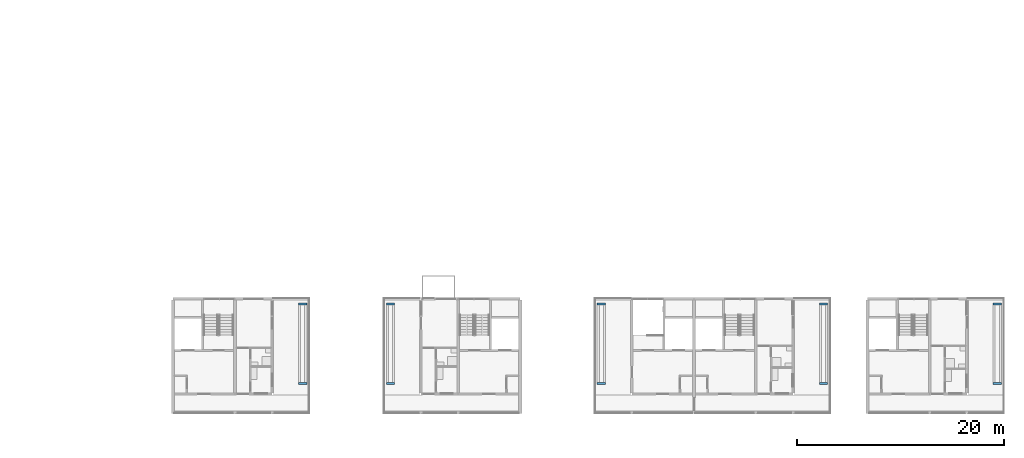
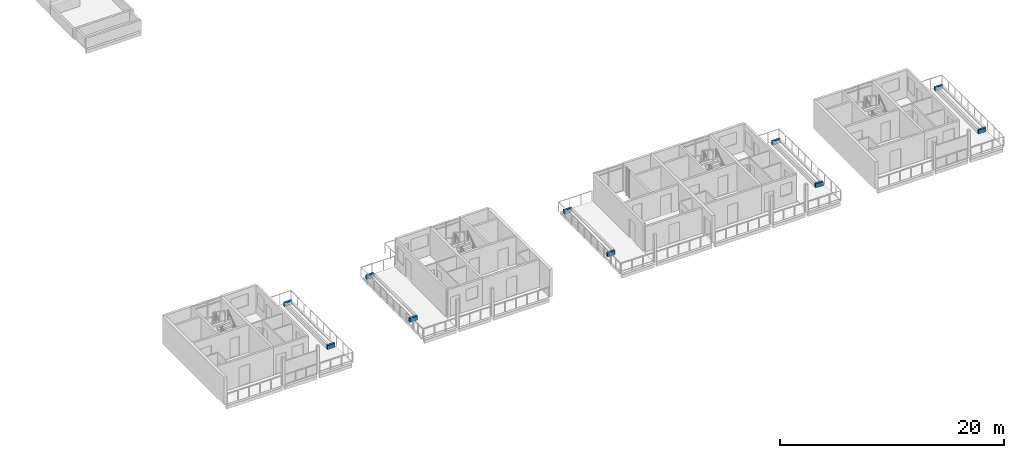
# One storey, part 28 of 41: 10 walls.
"""IFC4 building model written with IfcOpenShell, lengths in metres."""

from ifc_helpers import new_model, si_unit, direction, frame, frame_2d, origin, place, context, subcontext, project, spatial, rectangle, extrude, material, layer, layer_set, type_object, element, save


model = new_model("IFC4")

# Units and contexts
model_context = context("Model", 3, precision=1e-05, world=origin(), true_north=direction((0.0, 1.0)))
body_context = subcontext(model_context, "Body", "Model", "MODEL_VIEW")
ifc_project = project(units=[si_unit("LENGTHUNIT", "METRE"), si_unit("AREAUNIT", "SQUARE_METRE"), si_unit("VOLUMEUNIT", "CUBIC_METRE"), si_unit("PLANEANGLEUNIT", "RADIAN"), si_unit("MASSUNIT", "GRAM", prefix="KILO")], contexts=[model_context])

# Site, building, storey
site_placement = place(None, origin())
site = spatial("IfcSite", under=ifc_project, at=site_placement, CompositionType="ELEMENT")
building_placement = place(site_placement, origin())
building = spatial("IfcBuilding", under=site, at=building_placement, Name="Ridgestep Commons", CompositionType="ELEMENT")
storey_placement = place(building_placement, frame((0.0, 0.0, 39.0)))
storey = spatial("IfcBuildingStorey", under=building, at=storey_placement, Name="L13", CompositionType="ELEMENT", Elevation=39.0)

# Walls
ifc_material = material(Name="Facing brick", Category="masonry")
ifc_layer = layer(ifc_material, 0.199951171875)
ifc_layer_set = layer_set([ifc_layer], Name="Planter wall 200")
wall_type = type_object("IfcWallType", Name="Planter wall 200", PredefinedType="SOLIDWALL", material=ifc_layer_set)
for number, where, z_axis, x_axis, name in (
    (1, (175.75, 14.64990234375, 0.010009765625), (0.0, 0.0, 1.0), (1.0, 0.0, 0.0), "Planter wall D2R2S"),
    (2, (175.75, 22.35009765625, 0.010009765625), (0.0, 0.0, 1.0), (1.0, 0.0, 0.0), "Planter wall D2R2N"),
    (3, (184.25, 14.64990234375, 0.010009765625), (0.0, 0.0, 1.0), (1.0, 0.0, 0.0), "Planter wall D3R2S"),
    (4, (184.25, 22.35009765625, 0.010009765625), (0.0, 0.0, 1.0), (1.0, 0.0, 0.0), "Planter wall D3R2N"),
    (5, (204.64990234375, 14.64990234375, 0.010009765625), (0.0, 0.0, 1.0), (1.0, 0.0, 0.0), "Planter wall D4R3S"),
    (6, (204.64990234375, 22.35009765625, 0.010009765625), (0.0, 0.0, 1.0), (1.0, 0.0, 0.0), "Planter wall D4R3N"),
    (7, (226.14990234375, 14.64990234375, 0.010009765625), (0.0, 0.0, 1.0), (1.0, 0.0, 0.0), "Planter wall D5R2S"),
    (8, (226.14990234375, 22.35009765625, 0.010009765625), (0.0, 0.0, 1.0), (1.0, 0.0, 0.0), "Planter wall D5R2N"),
    (9, (242.949951171875, 14.64990234375, 0.010009765625), (0.0, 0.0, 1.0), (1.0, 0.0, 0.0), "Planter wall D6R2S"),
    (10, (242.949951171875, 22.35009765625, 0.010009765625), (0.0, 0.0, 1.0), (1.0, 0.0, 0.0), "Planter wall D6R2N"),
):
    element("IfcWall", number, at=place(storey_placement, frame(where, z_axis=z_axis, x_axis=x_axis)), inside=storey, type_object=wall_type, Name=name, PredefinedType="SOLIDWALL", context=body_context, shape_type="SweptSolid", body=[
        extrude(rectangle(XDim=0.800048828125, YDim=0.199951171875, at=frame_2d((0.39990234375, 0.0))), origin(), (0.0, 0.0, 1.0), 0.449951171875),
    ])

save(model, "model.ifc")
